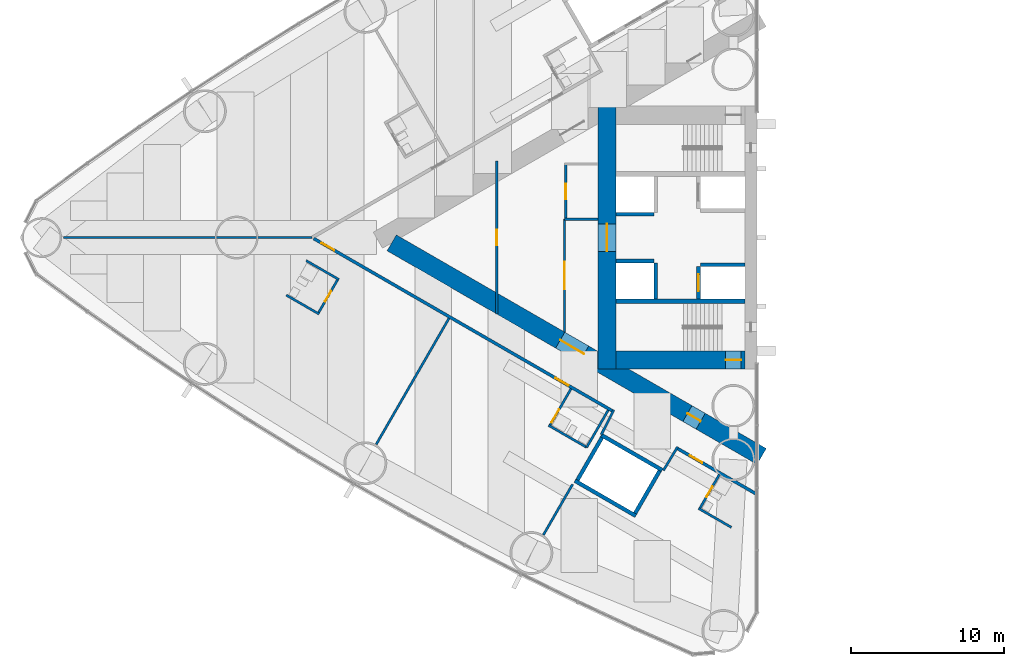
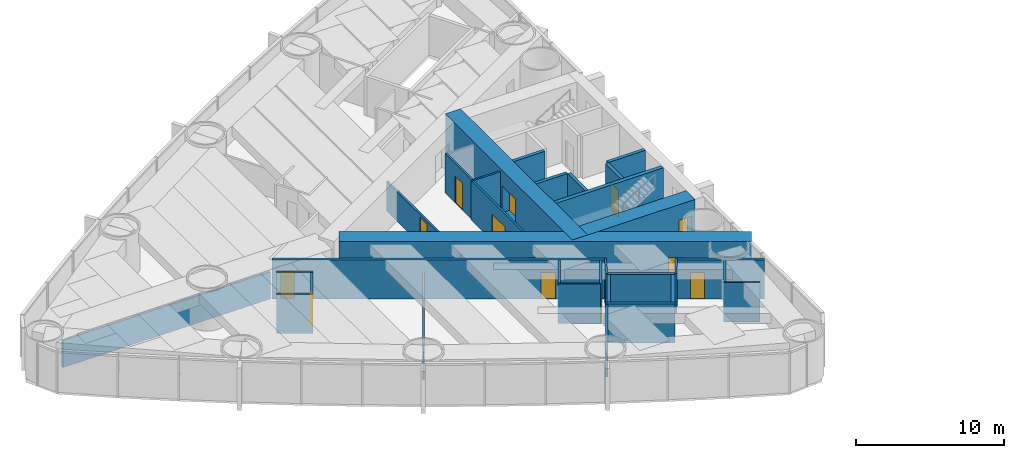
# One storey, part 11 of 18: 32 walls, 14 doors, 14 openings.
"""IFC4 building model written with IfcOpenShell, lengths in metres."""

from ifc_helpers import new_model, si_unit, direction, frame, frame_2d, origin, place, context, subcontext, project, spatial, rectangle, extrude, material, layer, layer_set, type_object, element, fill, save


model = new_model("IFC4")

# Units and contexts
model_context = context("Model", 3, precision=1e-05, world=origin(), true_north=direction((0.0, 1.0)))
body_context = subcontext(model_context, "Body", "Model", "MODEL_VIEW")
ifc_project = project(units=[si_unit("LENGTHUNIT", "METRE"), si_unit("AREAUNIT", "SQUARE_METRE"), si_unit("VOLUMEUNIT", "CUBIC_METRE"), si_unit("PLANEANGLEUNIT", "RADIAN"), si_unit("MASSUNIT", "GRAM", prefix="KILO")], contexts=[model_context])

# Site, building, storey
site_placement = place(None, origin())
site = spatial("IfcSite", under=ifc_project, at=site_placement, CompositionType="ELEMENT")
building_placement = place(site_placement, origin())
building = spatial("IfcBuilding", under=site, at=building_placement, Name="Lancet Gate Hotel", CompositionType="ELEMENT")
storey_placement = place(building_placement, frame((0.0, 0.0, 42.5)))
storey = spatial("IfcBuildingStorey", under=building, at=storey_placement, Name="L10", CompositionType="ELEMENT", Elevation=42.5)

# Wall
ifc_material_1 = material(Name="Moisture resistant board partition")
ifc_layer_1 = layer(ifc_material_1, 0.14990234375)
ifc_layer_set_1 = layer_set([ifc_layer_1], Name="Bathroom wall 150")
wall_type_1 = type_object("IfcWallType", Name="Bathroom wall 150", PredefinedType="PARTITIONING", material=ifc_layer_set_1)
wall_1_placement = place(storey_placement, frame((-56.111083984375, -4.998291015625, 0.0), z_axis=(0.0, 0.0, 1.0), x_axis=(-0.866031185235, 0.4999899861, 0.0)))
element("IfcWall", 1, at=wall_1_placement, inside=storey, type_object=wall_type_1, Name="T1 bathroom wall 150 L10", PredefinedType="PARTITIONING", context=body_context, shape_type="SweptSolid", body=[
    extrude(rectangle(XDim=2.47509765625, YDim=0.14990234375, at=frame_2d((1.237548828125, 0.0))), origin(), (0.0, 0.0, 1.0), 3.25),
])

# Wall, opening, door
wall_2_placement = place(storey_placement, frame((-54.8759765625, -2.708984375, 0.0), z_axis=(0.0, 0.0, 1.0), x_axis=(-0.500006934395, -0.866021400173, 0.0)))
wall_2 = element("IfcWall", 2, at=wall_2_placement, inside=storey, type_object=wall_type_1, Name="T1 bathroom wall 150 L10", PredefinedType="PARTITIONING", context=body_context, shape_type="SweptSolid", body=[
    extrude(rectangle(XDim=2.60009765625, YDim=0.14990234375, at=frame_2d((1.300048828125, 0.0))), origin(), (0.0, 0.0, 1.0), 3.25),
])
opening_1_placement = place(wall_2_placement, frame((0.89990234375, 0.0, 0.0)))
opening_1 = element("IfcOpeningElement", 3, at=opening_1_placement, cuts=wall_2, Name="Opening 1005-B", PredefinedType="OPENING", context=body_context, shape_type="SweptSolid", body=[
    extrude(rectangle(XDim=0.800048828125, YDim=2.199951171875, at=frame_2d((0.39990234375, 1.10009765625))), frame((0.0, 0.0849609375, 0.0), z_axis=(0.0, -1.0, 0.0), x_axis=(1.0, 0.0, 0.0)), (0.0, 0.0, 1.0), 0.169921875),
])
ifc_material_2 = material(Name="Timber door set", Category="wood")
door_type_1 = type_object("IfcDoorType", Name="Bathroom door 800", OperationType="SINGLE_SWING_RIGHT", PredefinedType="DOOR", material=ifc_material_2)
door_1_placement = place(opening_1_placement, origin())
door_1 = element("IfcDoor", 4, at=door_1_placement, inside=storey, type_object=door_type_1, Name="1005-B", OperationType="SINGLE_SWING_RIGHT", OverallHeight=2.199951171875, OverallWidth=0.800048828125, PredefinedType="DOOR", context=body_context, shape_type="SweptSolid", body=[
    extrude(rectangle(XDim=0.800048828125, YDim=2.199951171875, at=frame_2d((0.39990234375, 1.10009765625))), frame((0.0, 0.02490234375, 0.0), z_axis=(0.0, -1.0, 0.0), x_axis=(1.0, 0.0, 0.0)), (0.0, 0.0, 1.0), 0.050048828125),
])
fill(opening_1, door_1)

# Walls
wall_3_placement = place(storey_placement, frame((-54.81103515625, -2.74658203125, 0.0), z_axis=(0.0, 0.0, 1.0), x_axis=(-0.866031185235, 0.4999899861, 0.0)))
element("IfcWall", 5, at=wall_3_placement, inside=storey, type_object=wall_type_1, Name="T1 bathroom wall 150 L10", PredefinedType="PARTITIONING", context=body_context, shape_type="SweptSolid", body=[
    extrude(rectangle(XDim=2.47509765625, YDim=0.14990234375, at=frame_2d((1.237548828125, 0.0))), origin(), (0.0, 0.0, 1.0), 3.25),
])
wall_4_placement = place(storey_placement, frame((-38.630126953125, -13.705322265625, 0.0), z_axis=(0.0, 0.0, 1.0), x_axis=(-0.866018712932, 0.500011588718, 0.0)))
element("IfcWall", 6, at=wall_4_placement, inside=storey, type_object=wall_type_1, Name="T1 bathroom wall 150 L10", PredefinedType="PARTITIONING", context=body_context, shape_type="SweptSolid", body=[
    extrude(rectangle(XDim=2.875, YDim=0.14990234375, at=frame_2d((1.4375, 0.0))), origin(), (0.0, 0.0, 1.0), 3.25),
])

# Wall, opening, door
wall_5_placement = place(storey_placement, frame((-39.65478515625, -9.88037109375, 0.0), z_axis=(0.0, 0.0, 1.0), x_axis=(-0.500049511043, -0.865996816683, 0.0)))
wall_5 = element("IfcWall", 7, at=wall_5_placement, inside=storey, type_object=wall_type_1, Name="T1 bathroom wall 150 L10", PredefinedType="PARTITIONING", context=body_context, shape_type="SweptSolid", body=[
    extrude(rectangle(XDim=2.800048828125, YDim=0.14990234375, at=frame_2d((1.39990234375, 0.0))), origin(), (0.0, 0.0, 1.0), 3.25),
])
opening_2_placement = place(wall_5_placement, frame((1.550048828125, 0.0, 0.0)))
opening_2 = element("IfcOpeningElement", 8, at=opening_2_placement, cuts=wall_5, Name="Opening 1007-B", PredefinedType="OPENING", context=body_context, shape_type="SweptSolid", body=[
    extrude(rectangle(XDim=1.0, YDim=2.199951171875, at=frame_2d((0.5, 1.10009765625))), frame((0.0, 0.0849609375, 0.0), z_axis=(0.0, -1.0, 0.0), x_axis=(1.0, 0.0, 0.0)), (0.0, 0.0, 1.0), 0.169921875),
])
ifc_material_3 = material(Name="Timber door set", Category="wood")
door_type_2 = type_object("IfcDoorType", Name="Accessible en-suite door 1000", OperationType="SINGLE_SWING_RIGHT", PredefinedType="DOOR", material=ifc_material_3)
door_2_placement = place(opening_2_placement, origin())
door_2 = element("IfcDoor", 9, at=door_2_placement, inside=storey, type_object=door_type_2, Name="1007-B", OperationType="SINGLE_SWING_RIGHT", OverallHeight=2.199951171875, OverallWidth=1.0, PredefinedType="DOOR", context=body_context, shape_type="SweptSolid", body=[
    extrude(rectangle(XDim=1.0, YDim=2.199951171875, at=frame_2d((0.5, 1.10009765625))), frame((0.0, 0.02490234375, 0.0), z_axis=(0.0, -1.0, 0.0), x_axis=(1.0, 0.0, 0.0)), (0.0, 0.0, 1.0), 0.050048828125),
])
fill(opening_2, door_2)

# Walls
wall_6_placement = place(storey_placement, frame((-37.22998046875, -11.280517578125, 0.0), z_axis=(0.0, 0.0, 1.0), x_axis=(-0.500049511043, -0.865996816683, 0.0)))
element("IfcWall", 10, at=wall_6_placement, inside=storey, type_object=wall_type_1, Name="T1 bathroom wall 150 L10", PredefinedType="PARTITIONING", context=body_context, shape_type="SweptSolid", body=[
    extrude(rectangle(XDim=2.800048828125, YDim=0.14990234375, at=frame_2d((1.39990234375, 0.0))), origin(), (0.0, 0.0, 1.0), 3.25),
])
wall_7_placement = place(storey_placement, frame((-29.181884765625, -18.92919921875, 0.0), z_axis=(0.0, 0.0, 1.0), x_axis=(-0.866006523861, 0.500032699561, 0.0)))
element("IfcWall", 11, at=wall_7_placement, inside=storey, type_object=wall_type_1, Name="T1 bathroom wall 150 L10", PredefinedType="PARTITIONING", context=body_context, shape_type="SweptSolid", body=[
    extrude(rectangle(XDim=2.474853515625, YDim=0.14990234375, at=frame_2d((1.2373046875, 0.0))), origin(), (0.0, 0.0, 1.0), 3.25),
])

# Wall, opening, door
wall_8_placement = place(storey_placement, frame((-29.960205078125, -15.4775390625, 0.0), z_axis=(0.0, 0.0, 1.0), x_axis=(-0.500006934395, -0.866021400173, 0.0)))
wall_8 = element("IfcWall", 12, at=wall_8_placement, inside=storey, type_object=wall_type_1, Name="T1 bathroom wall 150 L10", PredefinedType="PARTITIONING", context=body_context, shape_type="SweptSolid", body=[
    extrude(rectangle(XDim=2.60009765625, YDim=0.14990234375, at=frame_2d((1.300048828125, 0.0))), origin(), (0.0, 0.0, 1.0), 3.25),
])
opening_3_placement = place(wall_8_placement, frame((0.89990234375, 0.0, 0.0)))
opening_3 = element("IfcOpeningElement", 13, at=opening_3_placement, cuts=wall_8, Name="Opening 1008-B", PredefinedType="OPENING", context=body_context, shape_type="SweptSolid", body=[
    extrude(rectangle(XDim=0.800048828125, YDim=2.199951171875, at=frame_2d((0.39990234375, 1.10009765625))), frame((0.0, 0.0849609375, 0.0), z_axis=(0.0, -1.0, 0.0), x_axis=(1.0, 0.0, 0.0)), (0.0, 0.0, 1.0), 0.169921875),
])
door_3_placement = place(opening_3_placement, origin())
door_3 = element("IfcDoor", 14, at=door_3_placement, inside=storey, type_object=door_type_1, Name="1008-B", OperationType="SINGLE_SWING_RIGHT", OverallHeight=2.199951171875, OverallWidth=0.800048828125, PredefinedType="DOOR", context=body_context, shape_type="SweptSolid", body=[
    extrude(rectangle(XDim=0.800048828125, YDim=2.199951171875, at=frame_2d((0.39990234375, 1.10009765625))), frame((0.0, 0.02490234375, 0.0), z_axis=(0.0, -1.0, 0.0), x_axis=(1.0, 0.0, 0.0)), (0.0, 0.0, 1.0), 0.050048828125),
])
fill(opening_3, door_3)

# Wall, openings, doors
ifc_material_4 = material(Name="Concrete C70/85", Category="concrete")
ifc_layer_2 = layer(ifc_material_4, 1.199951171875)
ifc_layer_set_2 = layer_set([ifc_layer_2], Name="Buttress wall 1200")
wall_type_2 = type_object("IfcWallType", Name="Buttress wall 1200", PredefinedType="SHEAR", material=ifc_layer_set_2)
wall_9_placement = place(storey_placement, frame((-27.199951171875, -14.300048828125, 0.0), z_axis=(0.0, 0.0, 1.0), x_axis=(-0.866024021859, 0.500002393557, 0.0)))
wall_9 = element("IfcWall", 15, at=wall_9_placement, inside=storey, type_object=wall_type_2, Name="T1 buttress wall N L10", PredefinedType="SHEAR", context=body_context, shape_type="SweptSolid", body=[
    extrude(rectangle(XDim=27.906982421875, YDim=1.199951171875, at=frame_2d((13.95361328125, 0.0))), origin(), (0.0, 0.0, 1.0), 3.5),
])
opening_4_placement = place(wall_9_placement, frame((4.60009765625, 0.0, 0.0)))
opening_4 = element("IfcOpeningElement", 16, at=opening_4_placement, cuts=wall_9, Name="Opening T1-L10-LN", PredefinedType="OPENING", context=body_context, shape_type="SweptSolid", body=[
    extrude(rectangle(XDim=1.0, YDim=2.199951171875, at=frame_2d((0.5, 1.10009765625))), frame((0.0, 0.60986328125, 0.0), z_axis=(0.0, -1.0, 0.0), x_axis=(1.0, 0.0, 0.0)), (0.0, 0.0, 1.0), 1.219970703125),
])
opening_5_placement = place(wall_9_placement, frame((13.39453125, 0.0, 0.0)))
opening_5 = element("IfcOpeningElement", 17, at=opening_5_placement, cuts=wall_9, Name="Opening T1-L10-LHN", PredefinedType="OPENING", context=body_context, shape_type="SweptSolid", body=[
    extrude(rectangle(XDim=1.800048828125, YDim=2.199951171875, at=frame_2d((0.89990234375, 1.10009765625))), frame((0.0, 0.60986328125, 0.0), z_axis=(0.0, -1.0, 0.0), x_axis=(1.0, 0.0, 0.0)), (0.0, 0.0, 1.0), 1.219970703125),
])
ifc_material_5 = material(Name="Timber door set", Category="wood")
door_type_3 = type_object("IfcDoorType", Name="Lobby double door 1800", OperationType="DOUBLE_DOOR_SINGLE_SWING", PredefinedType="DOOR", material=ifc_material_5)
door_4_placement = place(opening_5_placement, origin())
door_4 = element("IfcDoor", 18, at=door_4_placement, inside=storey, type_object=door_type_3, Name="T1-L10-LHN", OperationType="DOUBLE_DOOR_SINGLE_SWING", OverallHeight=2.199951171875, OverallWidth=1.800048828125, PredefinedType="DOOR", context=body_context, shape_type="SweptSolid", body=[
    extrude(rectangle(XDim=1.800048828125, YDim=2.199951171875, at=frame_2d((0.89990234375, 1.10009765625))), frame((0.0, 0.02490234375, 0.0), z_axis=(0.0, -1.0, 0.0), x_axis=(1.0, 0.0, 0.0)), (0.0, 0.0, 1.0), 0.050048828125),
])
fill(opening_5, door_4)
ifc_material_6 = material(Name="Timber door set", Category="wood")
door_type_4 = type_object("IfcDoorType", Name="Stair lobby door 1000", OperationType="SINGLE_SWING_LEFT", PredefinedType="DOOR", material=ifc_material_6)
door_5_placement = place(opening_4_placement, origin())
door_5 = element("IfcDoor", 19, at=door_5_placement, inside=storey, type_object=door_type_4, Name="T1-L10-LN", OperationType="SINGLE_SWING_LEFT", OverallHeight=2.199951171875, OverallWidth=1.0, PredefinedType="DOOR", context=body_context, shape_type="SweptSolid", body=[
    extrude(rectangle(XDim=1.0, YDim=2.199951171875, at=frame_2d((0.5, 1.10009765625))), frame((0.0, 0.02490234375, 0.0), z_axis=(0.0, -1.0, 0.0), x_axis=(1.0, 0.0, 0.0)), (0.0, 0.0, 1.0), 0.050048828125),
])
fill(opening_4, door_5)

# Wall, opening, door
ifc_material_7 = material(Name="Concrete C70/85", Category="concrete")
ifc_layer_3 = layer(ifc_material_7, 1.199951171875)
ifc_layer_set_3 = layer_set([ifc_layer_3], Name="Core wall 1200")
wall_type_3 = type_object("IfcWallType", Name="Core wall 1200", PredefinedType="SHEAR", material=ifc_layer_set_3)
wall_10_placement = place(storey_placement, frame((-37.300048828125, 8.60009765625, 0.0), z_axis=(0.0, 0.0, 1.0), x_axis=(0.0, -1.0, 0.0)))
wall_10 = element("IfcWall", 20, at=wall_10_placement, inside=storey, type_object=wall_type_3, Name="T1 core wall back L10", PredefinedType="SHEAR", context=body_context, shape_type="SweptSolid", body=[
    extrude(rectangle(XDim=17.2001953125, YDim=1.199951171875, at=frame_2d((8.60009765625, 0.0))), origin(), (0.0, 0.0, 1.0), 3.5),
])
opening_6_placement = place(wall_10_placement, frame((7.699951171875, 0.0, 0.0)))
opening_6 = element("IfcOpeningElement", 21, at=opening_6_placement, cuts=wall_10, Name="Opening T1-L10-LL", PredefinedType="OPENING", context=body_context, shape_type="SweptSolid", body=[
    extrude(rectangle(XDim=1.800048828125, YDim=2.199951171875, at=frame_2d((0.89990234375, 1.10009765625))), frame((0.0, 0.60986328125, 0.0), z_axis=(0.0, -1.0, 0.0), x_axis=(1.0, 0.0, 0.0)), (0.0, 0.0, 1.0), 1.219970703125),
])
door_6_placement = place(opening_6_placement, origin())
door_6 = element("IfcDoor", 22, at=door_6_placement, inside=storey, type_object=door_type_3, Name="T1-L10-LL", OperationType="DOUBLE_DOOR_SINGLE_SWING", OverallHeight=2.199951171875, OverallWidth=1.800048828125, PredefinedType="DOOR", context=body_context, shape_type="SweptSolid", body=[
    extrude(rectangle(XDim=1.800048828125, YDim=2.199951171875, at=frame_2d((0.89990234375, 1.10009765625))), frame((0.0, 0.02490234375, 0.0), z_axis=(0.0, -1.0, 0.0), x_axis=(1.0, 0.0, 0.0)), (0.0, 0.0, 1.0), 0.050048828125),
])
fill(opening_6, door_6)

wall_11_placement = place(storey_placement, frame((-28.300048828125, -8.0, 0.0), z_axis=(0.0, 0.0, 1.0), x_axis=(-1.0, 0.0, 0.0)))
wall_11 = element("IfcWall", 23, at=wall_11_placement, inside=storey, type_object=wall_type_3, Name="T1 core wall side-N L10", PredefinedType="SHEAR", context=body_context, shape_type="SweptSolid", body=[
    extrude(rectangle(XDim=8.39990234375, YDim=1.199951171875, at=frame_2d((4.199951171875, 0.0))), origin(), (0.0, 0.0, 1.0), 3.5),
])
opening_7_placement = place(wall_11_placement, frame((0.25, 0.0, 0.0)))
opening_7 = element("IfcOpeningElement", 24, at=opening_7_placement, cuts=wall_11, Name="Opening T1-L10-ST2", PredefinedType="OPENING", context=body_context, shape_type="SweptSolid", body=[
    extrude(rectangle(XDim=1.0, YDim=2.199951171875, at=frame_2d((0.5, 1.10009765625))), frame((0.0, 0.60986328125, 0.0), z_axis=(0.0, -1.0, 0.0), x_axis=(1.0, 0.0, 0.0)), (0.0, 0.0, 1.0), 1.219970703125),
])
ifc_material_8 = material(Name="Timber door set", Category="wood")
door_type_5 = type_object("IfcDoorType", Name="Stair door 1000", OperationType="SINGLE_SWING_RIGHT", PredefinedType="DOOR", material=ifc_material_8)
door_7_placement = place(opening_7_placement, origin())
door_7 = element("IfcDoor", 25, at=door_7_placement, inside=storey, type_object=door_type_5, Name="T1-L10-ST2", OperationType="SINGLE_SWING_RIGHT", OverallHeight=2.199951171875, OverallWidth=1.0, PredefinedType="DOOR", context=body_context, shape_type="SweptSolid", body=[
    extrude(rectangle(XDim=1.0, YDim=2.199951171875, at=frame_2d((0.5, 1.10009765625))), frame((0.0, 0.02490234375, 0.0), z_axis=(0.0, -1.0, 0.0), x_axis=(1.0, 0.0, 0.0)), (0.0, 0.0, 1.0), 0.050048828125),
])
fill(opening_7, door_7)

ifc_material_9 = material(Name="Gypsum board partition")
ifc_layer_4 = layer(ifc_material_9, 0.199951171875)
ifc_layer_set_4 = layer_set([ifc_layer_4], Name="Corridor wall 200")
wall_type_4 = type_object("IfcWallType", Name="Corridor wall 200", PredefinedType="PARTITIONING", material=ifc_layer_set_4)
wall_12_placement = place(storey_placement, frame((-27.572021484375, -16.740966796875, 0.0), z_axis=(0.0, 0.0, 1.0), x_axis=(-0.866024464444, 0.500001626982, 0.0)))
wall_12 = element("IfcWall", 26, at=wall_12_placement, inside=storey, type_object=wall_type_4, Name="T1 corridor wall 200 L10", PredefinedType="PARTITIONING", context=body_context, shape_type="SweptSolid", body=[
    extrude(rectangle(XDim=5.955078125, YDim=0.199951171875, at=frame_2d((2.9775390625, 0.0))), origin(), (0.0, 0.0, 1.0), 3.25),
])
opening_8_placement = place(wall_12_placement, frame((4.050048828125, 0.0, 0.0)))
opening_8 = element("IfcOpeningElement", 27, at=opening_8_placement, cuts=wall_12, Name="Opening 1008-E", PredefinedType="OPENING", context=body_context, shape_type="SweptSolid", body=[
    extrude(rectangle(XDim=0.949951171875, YDim=2.199951171875, at=frame_2d((0.47509765625, 1.10009765625))), frame((0.0, 0.10986328125, 0.0), z_axis=(0.0, -1.0, 0.0), x_axis=(1.0, 0.0, 0.0)), (0.0, 0.0, 1.0), 0.219970703125),
])
ifc_material_10 = material(Name="Timber door set", Category="wood")
door_type_6 = type_object("IfcDoorType", Name="Guest room entry door 950", OperationType="SINGLE_SWING_LEFT", PredefinedType="DOOR", material=ifc_material_10)
door_8_placement = place(opening_8_placement, origin())
door_8 = element("IfcDoor", 28, at=door_8_placement, inside=storey, type_object=door_type_6, Name="1008-E", OperationType="SINGLE_SWING_LEFT", OverallHeight=2.199951171875, OverallWidth=0.949951171875, PredefinedType="DOOR", context=body_context, shape_type="SweptSolid", body=[
    extrude(rectangle(XDim=0.949951171875, YDim=2.199951171875, at=frame_2d((0.47509765625, 1.10009765625))), frame((0.0, 0.02490234375, 0.0), z_axis=(0.0, -1.0, 0.0), x_axis=(1.0, 0.0, 0.0)), (0.0, 0.0, 1.0), 0.050048828125),
])
fill(opening_8, door_8)

# Wall, openings, doors
wall_13_placement = place(storey_placement, frame((-36.920166015625, -11.34375, 0.0), z_axis=(0.0, 0.0, 1.0), x_axis=(-0.866028313256, 0.499994960614, 0.0)))
wall_13 = element("IfcWall", 29, at=wall_13_placement, inside=storey, type_object=wall_type_4, Name="T1 corridor wall 200 L10", PredefinedType="PARTITIONING", context=body_context, shape_type="SweptSolid", body=[
    extrude(rectangle(XDim=22.567626953125, YDim=0.199951171875, at=frame_2d((11.28369140625, 0.0))), origin(), (0.0, 0.0, 1.0), 3.25),
])
opening_9_placement = place(wall_13_placement, frame((21.017578125, 0.0, 0.0)))
opening_9 = element("IfcOpeningElement", 30, at=opening_9_placement, cuts=wall_13, Name="Opening 1005-E", PredefinedType="OPENING", context=body_context, shape_type="SweptSolid", body=[
    extrude(rectangle(XDim=0.949951171875, YDim=2.199951171875, at=frame_2d((0.47509765625, 1.10009765625))), frame((0.0, 0.10986328125, 0.0), z_axis=(0.0, -1.0, 0.0), x_axis=(1.0, 0.0, 0.0)), (0.0, 0.0, 1.0), 0.219970703125),
])
opening_10_placement = place(wall_13_placement, frame((3.35009765625, 0.0, 0.0)))
opening_10 = element("IfcOpeningElement", 31, at=opening_10_placement, cuts=wall_13, Name="Opening 1007-E", PredefinedType="OPENING", context=body_context, shape_type="SweptSolid", body=[
    extrude(rectangle(XDim=1.0, YDim=2.199951171875, at=frame_2d((0.5, 1.10009765625))), frame((0.0, 0.10986328125, 0.0), z_axis=(0.0, -1.0, 0.0), x_axis=(1.0, 0.0, 0.0)), (0.0, 0.0, 1.0), 0.219970703125),
])
ifc_material_11 = material(Name="Timber door set", Category="wood")
door_type_7 = type_object("IfcDoorType", Name="Accessible guest room door 1000", OperationType="SINGLE_SWING_LEFT", PredefinedType="DOOR", material=ifc_material_11)
door_9_placement = place(opening_10_placement, origin())
door_9 = element("IfcDoor", 32, at=door_9_placement, inside=storey, type_object=door_type_7, Name="1007-E", OperationType="SINGLE_SWING_LEFT", OverallHeight=2.199951171875, OverallWidth=1.0, PredefinedType="DOOR", context=body_context, shape_type="SweptSolid", body=[
    extrude(rectangle(XDim=1.0, YDim=2.199951171875, at=frame_2d((0.5, 1.10009765625))), frame((0.0, 0.02490234375, 0.0), z_axis=(0.0, -1.0, 0.0), x_axis=(1.0, 0.0, 0.0)), (0.0, 0.0, 1.0), 0.050048828125),
])
fill(opening_10, door_9)
door_10_placement = place(opening_9_placement, origin())
door_10 = element("IfcDoor", 33, at=door_10_placement, inside=storey, type_object=door_type_6, Name="1005-E", OperationType="SINGLE_SWING_LEFT", OverallHeight=2.199951171875, OverallWidth=0.949951171875, PredefinedType="DOOR", context=body_context, shape_type="SweptSolid", body=[
    extrude(rectangle(XDim=0.949951171875, YDim=2.199951171875, at=frame_2d((0.47509765625, 1.10009765625))), frame((0.0, 0.02490234375, 0.0), z_axis=(0.0, -1.0, 0.0), x_axis=(1.0, 0.0, 0.0)), (0.0, 0.0, 1.0), 0.050048828125),
])
fill(opening_9, door_10)

# Walls
ifc_material_12 = material(Name="Gypsum board partition")
ifc_layer_5 = layer(ifc_material_12, 0.25)
ifc_layer_set_5 = layer_set([ifc_layer_5], Name="Lift shaft partition 250")
wall_type_5 = type_object("IfcWallType", Name="Lift shaft partition 250", PredefinedType="PARTITIONING", material=ifc_layer_set_5)
wall_14_placement = place(storey_placement, frame((-33.695556640625, -15.197265625, 0.0), z_axis=(0.0, 0.0, 1.0), x_axis=(-0.865976953817, 0.500083908417, 0.0)))
element("IfcWall", 34, at=wall_14_placement, inside=storey, type_object=wall_type_5, Name="T1 lift shaft wall EX L10", PredefinedType="PARTITIONING", context=body_context, shape_type="SweptSolid", body=[
    extrude(rectangle(XDim=4.599365234375, YDim=0.25, at=frame_2d((2.2998046875, 0.0))), origin(), (0.0, 0.0, 1.0), 3.25),
])
wall_15_placement = place(storey_placement, frame((-35.42041015625, -18.185791015625, 0.0), z_axis=(0.0, 0.0, 1.0), x_axis=(-0.865990227814, 0.50006092162, 0.0)))
element("IfcWall", 35, at=wall_15_placement, inside=storey, type_object=wall_type_5, Name="T1 lift shaft wall EX L10", PredefinedType="PARTITIONING", context=body_context, shape_type="SweptSolid", body=[
    extrude(rectangle(XDim=4.599609375, YDim=0.25, at=frame_2d((2.2998046875, 0.0))), origin(), (0.0, 0.0, 1.0), 3.25),
])
wall_16_placement = place(storey_placement, frame((-33.8662109375, -15.242919921875, 0.0), z_axis=(0.0, 0.0, 1.0), x_axis=(-0.499929347863, -0.866066190972, 0.0)))
element("IfcWall", 36, at=wall_16_placement, inside=storey, type_object=wall_type_5, Name="T1 lift shaft wall EX L10", PredefinedType="PARTITIONING", context=body_context, shape_type="SweptSolid", body=[
    extrude(rectangle(XDim=3.20068359375, YDim=0.25, at=frame_2d((1.600341796875, 0.0))), origin(), (0.0, 0.0, 1.0), 3.25),
])
wall_17_placement = place(storey_placement, frame((-37.6328125, -13.068115234375, 0.0), z_axis=(0.0, 0.0, 1.0), x_axis=(-0.499872130319, -0.866099216793, 0.0)))
element("IfcWall", 37, at=wall_17_placement, inside=storey, type_object=wall_type_5, Name="T1 lift shaft wall EX L10", PredefinedType="PARTITIONING", context=body_context, shape_type="SweptSolid", body=[
    extrude(rectangle(XDim=3.200439453125, YDim=0.25, at=frame_2d((1.60009765625, 0.0))), origin(), (0.0, 0.0, 1.0), 3.25),
])
ifc_material_13 = material(Name="Concrete C50/60", Category="concrete")
ifc_layer_6 = layer(ifc_material_13, 0.25)
ifc_layer_set_6 = layer_set([ifc_layer_6], Name="Lift shaft wall 250")
wall_type_6 = type_object("IfcWallType", Name="Lift shaft wall 250", PredefinedType="SHEAR", material=ifc_layer_set_6)
wall_18_placement = place(storey_placement, frame((-34.25, 1.52490234375, 0.0), z_axis=(0.0, 0.0, 1.0), x_axis=(-1.0, 0.0, 0.0)))
element("IfcWall", 38, at=wall_18_placement, inside=storey, type_object=wall_type_6, Name="T1 core wall pass2-S L10", PredefinedType="SHEAR", context=body_context, shape_type="SweptSolid", body=[
    extrude(rectangle(XDim=2.449951171875, YDim=0.25, at=frame_2d((1.22509765625, 0.0))), origin(), (0.0, 0.0, 1.0), 3.5),
])

# Wall, opening, door
wall_19_placement = place(storey_placement, frame((-31.324951171875, -1.89990234375, 0.0), z_axis=(0.0, 0.0, 1.0), x_axis=(0.0, -1.0, 0.0)))
wall_19 = element("IfcWall", 39, at=wall_19_placement, inside=storey, type_object=wall_type_6, Name="T1 core wall row1-N L10", PredefinedType="SHEAR", context=body_context, shape_type="SweptSolid", body=[
    extrude(rectangle(XDim=2.10009765625, YDim=0.25, at=frame_2d((1.050048828125, 0.0))), origin(), (0.0, 0.0, 1.0), 3.5),
])
opening_11_placement = place(wall_19_placement, frame((0.5, 0.0, 0.0)))
opening_11 = element("IfcOpeningElement", 40, at=opening_11_placement, cuts=wall_19, Name="Opening T1-FL2-L10", PredefinedType="OPENING", context=body_context, shape_type="SweptSolid", body=[
    extrude(rectangle(XDim=1.10009765625, YDim=2.199951171875, at=frame_2d((0.550048828125, 1.10009765625))), frame((0.0, 0.135009765625, 0.0), z_axis=(0.0, -1.0, 0.0), x_axis=(1.0, 0.0, 0.0)), (0.0, 0.0, 1.0), 0.27001953125),
])
ifc_material_14 = material(Name="Steel door set", Category="steel")
door_type_8 = type_object("IfcDoorType", Name="Firefighting lift landing door 1100", OperationType="SLIDING_TO_LEFT", PredefinedType="USERDEFINED", material=ifc_material_14)
door_11_placement = place(opening_11_placement, origin())
door_11 = element("IfcDoor", 41, at=door_11_placement, inside=storey, type_object=door_type_8, Name="T1-FL2-L10", ObjectType="LIFT LANDING DOOR", OperationType="SLIDING_TO_LEFT", OverallHeight=2.199951171875, OverallWidth=1.10009765625, PredefinedType="USERDEFINED", context=body_context, shape_type="SweptSolid", body=[
    extrude(rectangle(XDim=1.10009765625, YDim=2.199951171875, at=frame_2d((0.550048828125, 1.10009765625))), frame((0.0, 0.02490234375, 0.0), z_axis=(0.0, -1.0, 0.0), x_axis=(1.0, 0.0, 0.0)), (0.0, 0.0, 1.0), 0.050048828125),
])
fill(opening_11, door_11)

# Walls
wall_20_placement = place(storey_placement, frame((-34.125, -1.64990234375, 0.0), z_axis=(0.0, 0.0, 1.0), x_axis=(0.0, -1.0, 0.0)))
element("IfcWall", 42, at=wall_20_placement, inside=storey, type_object=wall_type_6, Name="T1 core wall row2-N L10", PredefinedType="SHEAR", context=body_context, shape_type="SweptSolid", body=[
    extrude(rectangle(XDim=2.35009765625, YDim=0.25, at=frame_2d((1.175048828125, 0.0))), origin(), (0.0, 0.0, 1.0), 3.5),
])
wall_21_placement = place(storey_placement, frame((-28.300048828125, -1.77490234375, 0.0), z_axis=(0.0, 0.0, 1.0), x_axis=(-1.0, 0.0, 0.0)))
element("IfcWall", 43, at=wall_21_placement, inside=storey, type_object=wall_type_6, Name="T1 core wall pass1-N L10", PredefinedType="SHEAR", context=body_context, shape_type="SweptSolid", body=[
    extrude(rectangle(XDim=2.89990234375, YDim=0.25, at=frame_2d((1.449951171875, 0.0))), origin(), (0.0, 0.0, 1.0), 3.5),
])
wall_22_placement = place(storey_placement, frame((-34.25, -1.52490234375, 0.0), z_axis=(0.0, 0.0, 1.0), x_axis=(-1.0, 0.0, 0.0)))
element("IfcWall", 44, at=wall_22_placement, inside=storey, type_object=wall_type_6, Name="T1 core wall pass2-N L10", PredefinedType="SHEAR", context=body_context, shape_type="SweptSolid", body=[
    extrude(rectangle(XDim=2.449951171875, YDim=0.25, at=frame_2d((1.22509765625, 0.0))), origin(), (0.0, 0.0, 1.0), 3.5),
])
ifc_material_15 = material(Name="Gypsum board partition")
ifc_layer_7 = layer(ifc_material_15, 0.14990234375)
ifc_layer_set_7 = layer_set([ifc_layer_7], Name="Party wall 150")
wall_type_7 = type_object("IfcWallType", Name="Party wall 150", PredefinedType="PARTITIONING", material=ifc_layer_set_7)
wall_23_placement = place(storey_placement, frame((-47.626708984375, -5.27783203125, 0.0), z_axis=(0.0, 0.0, 1.0), x_axis=(-0.500009844318, -0.86601972009, 0.0)))
element("IfcWall", 45, at=wall_23_placement, inside=storey, type_object=wall_type_7, Name="T1 party wall 150 L10", PredefinedType="PARTITIONING", context=body_context, shape_type="SweptSolid", body=[
    extrude(rectangle(XDim=9.510498046875, YDim=0.14990234375, at=frame_2d((4.75537109375, 0.0))), origin(), (0.0, 0.0, 1.0), 2.25),
])
wall_24_placement = place(storey_placement, frame((-56.568359375, 0.0, 0.0), z_axis=(0.0, 0.0, 1.0), x_axis=(-1.0, 0.0, 0.0)))
element("IfcWall", 46, at=wall_24_placement, inside=storey, type_object=wall_type_7, Name="T1 party wall 150 L10", PredefinedType="PARTITIONING", context=body_context, shape_type="SweptSolid", body=[
    extrude(rectangle(XDim=16.246826171875, YDim=0.14990234375, at=frame_2d((8.12353515625, 0.0))), origin(), (0.0, 0.0, 1.0), 2.25),
])
wall_25_placement = place(storey_placement, frame((-39.55078125, -16.118408203125, 0.0), z_axis=(0.0, 0.0, 1.0), x_axis=(-0.499986503906, -0.866033195618, 0.0)))
element("IfcWall", 47, at=wall_25_placement, inside=storey, type_object=wall_type_7, Name="T1 party wall 150 L10", PredefinedType="PARTITIONING", context=body_context, shape_type="SweptSolid", body=[
    extrude(rectangle(XDim=3.81494140625, YDim=0.14990234375, at=frame_2d((1.907470703125, 0.0))), origin(), (0.0, 0.0, 1.0), 3.25),
])
ifc_material_16 = material(Name="Gypsum board partition")
ifc_layer_8 = layer(ifc_material_16, 0.14990234375)
ifc_layer_set_8 = layer_set([ifc_layer_8], Name="Service room wall 150")
wall_type_8 = type_object("IfcWallType", Name="Service room wall 150", PredefinedType="PARTITIONING", material=ifc_layer_set_8)
wall_26_placement = place(storey_placement, frame((-36.857177734375, -11.2646484375, 0.0), z_axis=(0.0, 0.0, 1.0), x_axis=(-0.454225294761, -0.890886851176, 0.0)))
element("IfcWall", 48, at=wall_26_placement, inside=storey, type_object=wall_type_8, Name="T1 service room wall 150 L10", PredefinedType="PARTITIONING", context=body_context, shape_type="SweptSolid", body=[
    extrude(rectangle(XDim=1.80712890625, YDim=0.14990234375, at=frame_2d((0.903564453125, 0.0))), origin(), (0.0, 0.0, 1.0), 3.25),
])
wall_27_placement = place(storey_placement, frame((-33.62060546875, -15.217529296875, 0.0), z_axis=(0.0, 0.0, 1.0), x_axis=(0.514336634837, 0.857588377991, 0.0)))
element("IfcWall", 49, at=wall_27_placement, inside=storey, type_object=wall_type_8, Name="T1 service room wall 150 L10", PredefinedType="PARTITIONING", context=body_context, shape_type="SweptSolid", body=[
    extrude(rectangle(XDim=1.80517578125, YDim=0.14990234375, at=frame_2d((0.902587890625, 0.0))), origin(), (0.0, 0.0, 1.0), 3.25),
])
wall_28_placement = place(storey_placement, frame((-37.89990234375, 1.199951171875, 0.0), z_axis=(0.0, 0.0, 1.0), x_axis=(-1.0, 0.0, 0.0)))
element("IfcWall", 50, at=wall_28_placement, inside=storey, type_object=wall_type_8, Name="T1 service room wall 150 L10", PredefinedType="PARTITIONING", context=body_context, shape_type="SweptSolid", body=[
    extrude(rectangle(XDim=2.175048828125, YDim=0.14990234375, at=frame_2d((1.08740234375, 0.0))), origin(), (0.0, 0.0, 1.0), 3.25),
])

# Wall, opening, door
wall_29_placement = place(storey_placement, frame((-40.0, 4.875, 0.0), z_axis=(0.0, 0.0, 1.0), x_axis=(0.0, -1.0, 0.0)))
wall_29 = element("IfcWall", 51, at=wall_29_placement, inside=storey, type_object=wall_type_8, Name="T1 service room wall 150 L10", PredefinedType="PARTITIONING", context=body_context, shape_type="SweptSolid", body=[
    extrude(rectangle(XDim=3.75, YDim=0.14990234375, at=frame_2d((1.875, 0.0))), origin(), (0.0, 0.0, 1.0), 3.25),
])
opening_12_placement = place(wall_29_placement, frame((1.375, 0.0, 0.0)))
opening_12 = element("IfcOpeningElement", 52, at=opening_12_placement, cuts=wall_29, Name="Opening T1-L10-HRS0", PredefinedType="OPENING", context=body_context, shape_type="SweptSolid", body=[
    extrude(rectangle(XDim=1.0, YDim=2.199951171875, at=frame_2d((0.5, 1.10009765625))), frame((0.0, 0.0849609375, 0.0), z_axis=(0.0, -1.0, 0.0), x_axis=(1.0, 0.0, 0.0)), (0.0, 0.0, 1.0), 0.169921875),
])
ifc_material_17 = material(Name="Timber door set", Category="wood")
door_type_9 = type_object("IfcDoorType", Name="Service door 1000", OperationType="SINGLE_SWING_LEFT", PredefinedType="DOOR", material=ifc_material_17)
door_12_placement = place(opening_12_placement, origin())
door_12 = element("IfcDoor", 53, at=door_12_placement, inside=storey, type_object=door_type_9, Name="T1-L10-HRS0", OperationType="SINGLE_SWING_LEFT", OverallHeight=2.199951171875, OverallWidth=1.0, PredefinedType="DOOR", context=body_context, shape_type="SweptSolid", body=[
    extrude(rectangle(XDim=1.0, YDim=2.199951171875, at=frame_2d((0.5, 1.10009765625))), frame((0.0, 0.02490234375, 0.0), z_axis=(0.0, -1.0, 0.0), x_axis=(1.0, 0.0, 0.0)), (0.0, 0.0, 1.0), 0.050048828125),
])
fill(opening_12, door_12)

wall_30_placement = place(storey_placement, frame((-40.074951171875, 1.199951171875, 0.0), z_axis=(0.0, 0.0, 1.0), x_axis=(0.0, -1.0, 0.0)))
wall_30 = element("IfcWall", 54, at=wall_30_placement, inside=storey, type_object=wall_type_8, Name="T1 service room wall 150 L10", PredefinedType="PARTITIONING", context=body_context, shape_type="SweptSolid", body=[
    extrude(rectangle(XDim=7.373779296875, YDim=0.14990234375, at=frame_2d((3.68701171875, 0.0))), origin(), (0.0, 0.0, 1.0), 3.25),
])
opening_13_placement = place(wall_30_placement, frame((2.786865234375, 0.0, 0.0)))
opening_13 = element("IfcOpeningElement", 55, at=opening_13_placement, cuts=wall_30, Name="Opening T1-L10-LH", PredefinedType="OPENING", context=body_context, shape_type="SweptSolid", body=[
    extrude(rectangle(XDim=1.800048828125, YDim=2.199951171875, at=frame_2d((0.89990234375, 1.10009765625))), frame((0.0, 0.0849609375, 0.0), z_axis=(0.0, -1.0, 0.0), x_axis=(1.0, 0.0, 0.0)), (0.0, 0.0, 1.0), 0.169921875),
])
door_13_placement = place(opening_13_placement, origin())
door_13 = element("IfcDoor", 56, at=door_13_placement, inside=storey, type_object=door_type_3, Name="T1-L10-LH", OperationType="DOUBLE_DOOR_SINGLE_SWING", OverallHeight=2.199951171875, OverallWidth=1.800048828125, PredefinedType="DOOR", context=body_context, shape_type="SweptSolid", body=[
    extrude(rectangle(XDim=1.800048828125, YDim=2.199951171875, at=frame_2d((0.89990234375, 1.10009765625))), frame((0.0, 0.02490234375, 0.0), z_axis=(0.0, -1.0, 0.0), x_axis=(1.0, 0.0, 0.0)), (0.0, 0.0, 1.0), 0.050048828125),
])
fill(opening_13, door_13)

wall_31_placement = place(storey_placement, frame((-44.5, 5.004638671875, 0.0), z_axis=(0.0, 0.0, 1.0), x_axis=(0.0, -1.0, 0.0)))
wall_31 = element("IfcWall", 57, at=wall_31_placement, inside=storey, type_object=wall_type_8, Name="T1 service room wall 150 L10", PredefinedType="PARTITIONING", context=body_context, shape_type="SweptSolid", body=[
    extrude(rectangle(XDim=10.00927734375, YDim=0.14990234375, at=frame_2d((5.004638671875, 0.0))), origin(), (0.0, 0.0, 1.0), 2.449951171875),
])
opening_14_placement = place(wall_31_placement, frame((4.504638671875, 0.0, 0.0)))
opening_14 = element("IfcOpeningElement", 58, at=opening_14_placement, cuts=wall_31, Name="Opening T1-L10-SV", PredefinedType="OPENING", context=body_context, shape_type="SweptSolid", body=[
    extrude(rectangle(XDim=1.0, YDim=2.199951171875, at=frame_2d((0.5, 1.10009765625))), frame((0.0, 0.0849609375, 0.0), z_axis=(0.0, -1.0, 0.0), x_axis=(1.0, 0.0, 0.0)), (0.0, 0.0, 1.0), 0.169921875),
])
door_14_placement = place(opening_14_placement, origin())
door_14 = element("IfcDoor", 59, at=door_14_placement, inside=storey, type_object=door_type_9, Name="T1-L10-SV", OperationType="SINGLE_SWING_LEFT", OverallHeight=2.199951171875, OverallWidth=1.0, PredefinedType="DOOR", context=body_context, shape_type="SweptSolid", body=[
    extrude(rectangle(XDim=1.0, YDim=2.199951171875, at=frame_2d((0.5, 1.10009765625))), frame((0.0, 0.02490234375, 0.0), z_axis=(0.0, -1.0, 0.0), x_axis=(1.0, 0.0, 0.0)), (0.0, 0.0, 1.0), 0.050048828125),
])
fill(opening_14, door_14)

# Wall
ifc_material_18 = material(Name="Concrete C50/60", Category="concrete")
ifc_layer_9 = layer(ifc_material_18, 0.300048828125)
ifc_layer_set_9 = layer_set([ifc_layer_9], Name="Stair enclosure wall 300")
wall_type_9 = type_object("IfcWallType", Name="Stair enclosure wall 300", PredefinedType="SHEAR", material=ifc_layer_set_9)
wall_32_placement = place(storey_placement, frame((-28.300048828125, -4.14990234375, 0.0), z_axis=(0.0, 0.0, 1.0), x_axis=(-1.0, 0.0, 0.0)))
element("IfcWall", 60, at=wall_32_placement, inside=storey, type_object=wall_type_9, Name="T1 core wall stair-N L10", PredefinedType="SHEAR", context=body_context, shape_type="SweptSolid", body=[
    extrude(rectangle(XDim=8.39990234375, YDim=0.300048828125, at=frame_2d((4.199951171875, 0.0))), origin(), (0.0, 0.0, 1.0), 3.5),
])

save(model, "model.ifc")
